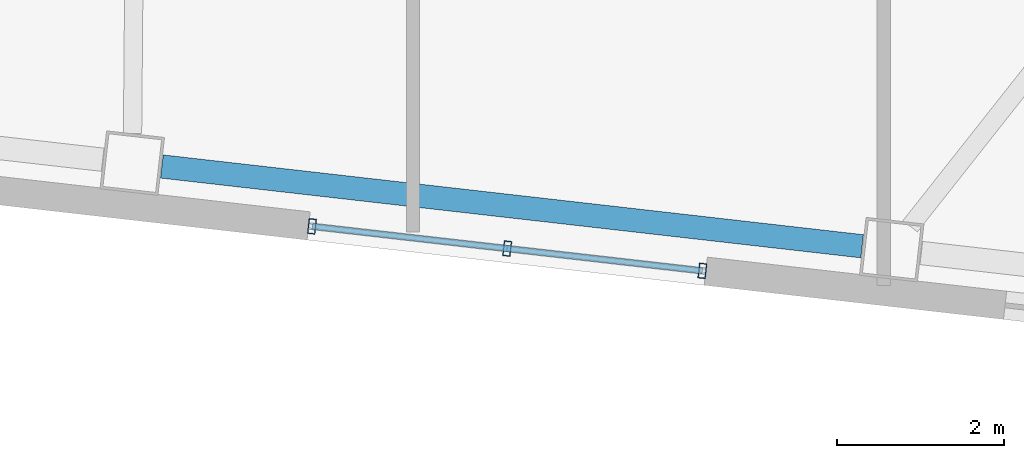
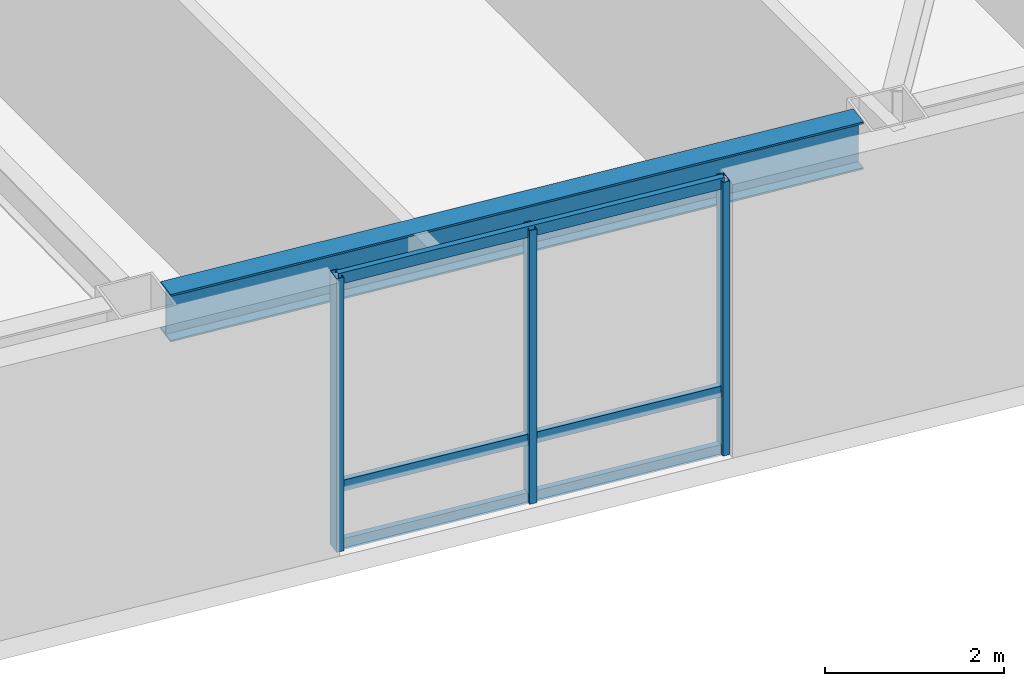
# One storey, part 6 of 22: 6 members, 1 beam, 1 element without a shape of its own.
"""IFC4 building model written with IfcOpenShell, lengths in metres."""

from ifc_helpers import new_model, si_unit, direction, frame, origin, origin_2d, place, context, subcontext, project, spatial, hollow_rectangle, i_section, extrude, material, layer, layer_set, material_profile, profile_set, type_object, element, aggregate, save


model = new_model("IFC4")

# Units and contexts
model_context = context("Model", 3, precision=1e-05, world=origin(), true_north=direction((0.0, 1.0)))
body_context = subcontext(model_context, "Body", "Model", "MODEL_VIEW")
ifc_project = project(units=[si_unit("LENGTHUNIT", "METRE"), si_unit("AREAUNIT", "SQUARE_METRE"), si_unit("VOLUMEUNIT", "CUBIC_METRE"), si_unit("PLANEANGLEUNIT", "RADIAN"), si_unit("MASSUNIT", "GRAM", prefix="KILO")], contexts=[model_context])

# Site, building, storey
site_placement = place(None, origin())
site = spatial("IfcSite", under=ifc_project, at=site_placement, CompositionType="ELEMENT")
building_placement = place(site_placement, origin())
building = spatial("IfcBuilding", under=site, at=building_placement, Name="Tavrogorsk Clinical Tower", CompositionType="ELEMENT")
storey_placement = place(building_placement, frame((0.0, 0.0, 117.39990234375)))
storey = spatial("IfcBuildingStorey", under=building, at=storey_placement, Name="L26", CompositionType="ELEMENT", Elevation=117.39990234375)

# Curtain wall, members
ifc_material_1 = material(Name="Anodised aluminium and triple IGU glazing", Category="aluminium")
ifc_layer = layer(ifc_material_1, 0.179931640625)
ifc_layer_set = layer_set([ifc_layer], Name="Anodised aluminium and triple IGU glazing")
curtain_wall_type = type_object("IfcCurtainWallType", Name="CW3_SouthSlot", PredefinedType="NOTDEFINED", material=ifc_layer_set)
curtain_wall_placement = place(storey_placement, origin())
curtain_wall = element("IfcCurtainWall", 1, at=curtain_wall_placement, inside=storey, type_object=curtain_wall_type, Name="L26 Curtain Wall CW-L26-S-SLOT-2", PredefinedType="NOTDEFINED")
ifc_material_2 = material(Name="Anodised aluminium alloy AW-6060", Category="aluminium")
ifc_material_profile_1 = material_profile(ifc_material_2, hollow_rectangle(XDim=0.090087890625, YDim=0.179931640625, WallThickness=0.00634765625, at=origin_2d()), Name="RHS-180x90x6.3")
ifc_profile_set_1 = profile_set([ifc_material_profile_1], Name="Anodised aluminium alloy AW-6060")
member_type_1 = type_object("IfcMemberType", Name="CwMullion_180x90", PredefinedType="MULLION", material=ifc_profile_set_1)
member_1_placement = place(storey_placement, frame((6.38623046875, -27.04345703125, 0.0), z_axis=(0.0, 0.0, 1.0), x_axis=(0.993571858269, -0.113203191016, 0.0)))
member_1 = element("IfcMember", 2, at=member_1_placement, type_object=member_type_1, Name="CW-L26-S-SLOT-2 Mullion 1", PredefinedType="MULLION", context=body_context, shape_type="SweptSolid", body=[
    extrude(hollow_rectangle(XDim=0.090087890625, YDim=0.179931640625, WallThickness=0.00634765625, at=origin_2d()), origin(), (0.0, 0.0, 1.0), 3.739990234375),
])
member_2_placement = place(storey_placement, frame((8.72998046875, -27.310546875, 0.0), z_axis=(0.0, 0.0, 1.0), x_axis=(0.993571858269, -0.113203191016, 0.0)))
member_2 = element("IfcMember", 3, at=member_2_placement, type_object=member_type_1, Name="CW-L26-S-SLOT-2 Mullion 2", PredefinedType="MULLION", context=body_context, shape_type="SweptSolid", body=[
    extrude(hollow_rectangle(XDim=0.090087890625, YDim=0.179931640625, WallThickness=0.00634765625, at=origin_2d()), origin(), (0.0, 0.0, 1.0), 3.739990234375),
])
member_3_placement = place(storey_placement, frame((11.07373046875, -27.57763671875, 0.0), z_axis=(0.0, 0.0, 1.0), x_axis=(0.993571858269, -0.113203191016, 0.0)))
member_3 = element("IfcMember", 4, at=member_3_placement, type_object=member_type_1, Name="CW-L26-S-SLOT-2 Mullion 3", PredefinedType="MULLION", context=body_context, shape_type="SweptSolid", body=[
    extrude(hollow_rectangle(XDim=0.090087890625, YDim=0.179931640625, WallThickness=0.00634765625, at=origin_2d()), origin(), (0.0, 0.0, 1.0), 3.739990234375),
])
ifc_material_3 = material(Name="Anodised aluminium alloy AW-6060", Category="aluminium")
ifc_material_profile_2 = material_profile(ifc_material_3, hollow_rectangle(XDim=0.074951171875, YDim=0.14990234375, WallThickness=0.0048828125, at=origin_2d()), Name="RHS-150x75x5")
ifc_profile_set_2 = profile_set([ifc_material_profile_2], Name="Anodised aluminium alloy AW-6060")
member_type_2 = type_object("IfcMemberType", Name="CwTransom_150x75", PredefinedType="USERDEFINED", material=ifc_profile_set_2)
member_4_placement = place(storey_placement, frame((6.38623046875, -27.04345703125, 0.050048828125), z_axis=(0.993569315854, -0.113225503286, 0.0), x_axis=(0.113225503286, 0.993569315854, 0.0)))
member_4 = element("IfcMember", 5, at=member_4_placement, type_object=member_type_2, Name="CW-L26-S-SLOT-2 Transom 1", ObjectType="TRANSOM", PredefinedType="USERDEFINED", context=body_context, shape_type="SweptSolid", body=[
    extrude(hollow_rectangle(XDim=0.074951171875, YDim=0.14990234375, WallThickness=0.0048828125, at=origin_2d()), origin(), (0.0, 0.0, 1.0), 4.7177734375),
])
member_5_placement = place(storey_placement, frame((6.38623046875, -27.04345703125, 0.85009765625), z_axis=(0.993569315854, -0.113225503286, 0.0), x_axis=(0.113225503286, 0.993569315854, 0.0)))
member_5 = element("IfcMember", 6, at=member_5_placement, type_object=member_type_2, Name="CW-L26-S-SLOT-2 Transom 2", ObjectType="TRANSOM", PredefinedType="USERDEFINED", context=body_context, shape_type="SweptSolid", body=[
    extrude(hollow_rectangle(XDim=0.074951171875, YDim=0.14990234375, WallThickness=0.0048828125, at=origin_2d()), origin(), (0.0, 0.0, 1.0), 4.7177734375),
])
member_6_placement = place(storey_placement, frame((6.38623046875, -27.04345703125, 3.690185546875), z_axis=(0.993569315854, -0.113225503286, 0.0), x_axis=(0.113225503286, 0.993569315854, 0.0)))
member_6 = element("IfcMember", 7, at=member_6_placement, type_object=member_type_2, Name="CW-L26-S-SLOT-2 Transom 3", ObjectType="TRANSOM", PredefinedType="USERDEFINED", context=body_context, shape_type="SweptSolid", body=[
    extrude(hollow_rectangle(XDim=0.074951171875, YDim=0.14990234375, WallThickness=0.0048828125, at=origin_2d()), origin(), (0.0, 0.0, 1.0), 4.7177734375),
])
aggregate(curtain_wall, [member_1, member_2, member_3, member_4, member_5, member_6])

# Beam
ifc_material_4 = material(Name="Structural steel S390", Category="steel")
ifc_material_profile_3 = material_profile(ifc_material_4, i_section(OverallWidth=0.280029296875, OverallDepth=0.64990234375, WebThickness=0.01611328125, FlangeThickness=0.02490234375, at=origin_2d()), Name="B-650x280x16x25")
ifc_profile_set_3 = profile_set([ifc_material_profile_3], Name="Structural steel S390")
beam_type = type_object("IfcBeamType", Name="SpandrelBeam_B650", PredefinedType="SPANDREL", material=ifc_profile_set_3)
beam_placement = place(storey_placement, frame((4.584228515625, -26.324951171875, 3.4150390625), z_axis=(0.99357306506, -0.113192598642, 0.0), x_axis=(0.113192598642, 0.99357306506, 0.0)))
element("IfcBeam", 8, at=beam_placement, inside=storey, type_object=beam_type, Name="L26 Perimeter Spandrel S5-S6", PredefinedType="SPANDREL", context=body_context, shape_type="SweptSolid", body=[
    extrude(i_section(OverallWidth=0.280029296875, OverallDepth=0.64990234375, WebThickness=0.01611328125, FlangeThickness=0.02490234375, at=origin_2d()), origin(), (0.0, 0.0, 1.0), 8.46142578125),
])

save(model, "model.ifc")
